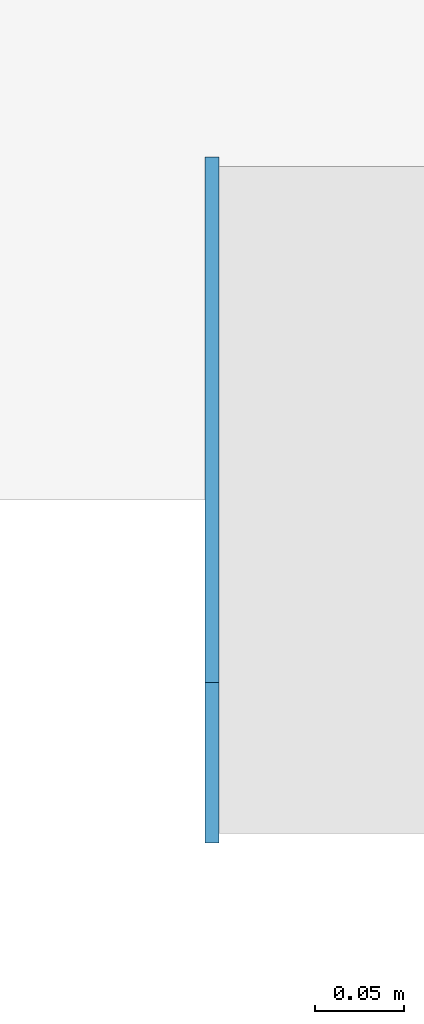
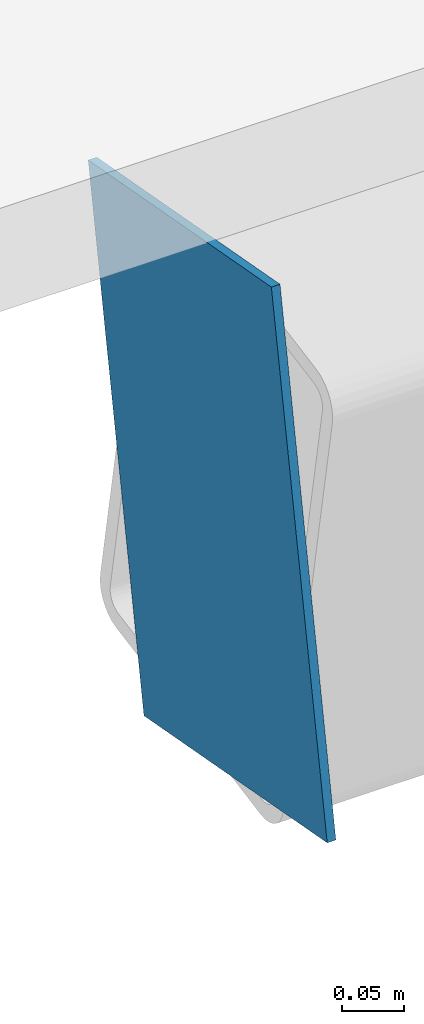
# One storey, part 15 of 32: 1 plate.
"""IFC4 building model written with IfcOpenShell, lengths in metres."""

from ifc_helpers import new_model, si_unit, direction, frame, origin, origin_2d, place, context, subcontext, project, spatial, rectangle, extrude, material, material_profile, profile_set, type_object, element, save


model = new_model("IFC4")

# Units and contexts
model_context = context("Model", 3, precision=1e-05, world=origin(), true_north=direction((0.0, 1.0)))
body_context = subcontext(model_context, "Body", "Model", "MODEL_VIEW")
ifc_project = project(units=[si_unit("LENGTHUNIT", "METRE"), si_unit("AREAUNIT", "SQUARE_METRE"), si_unit("VOLUMEUNIT", "CUBIC_METRE"), si_unit("PLANEANGLEUNIT", "RADIAN"), si_unit("MASSUNIT", "GRAM", prefix="KILO")], contexts=[model_context])

# Site, building, storey
site_placement = place(None, origin())
site = spatial("IfcSite", under=ifc_project, at=site_placement, CompositionType="ELEMENT")
building_placement = place(site_placement, origin())
building = spatial("IfcBuilding", under=site, at=building_placement, Name="Magnolia Steps Interchange", CompositionType="ELEMENT")
storey_placement = place(building_placement, frame((0.0, 0.0, 16.5)))
storey = spatial("IfcBuildingStorey", under=building, at=storey_placement, Name="L04", CompositionType="ELEMENT", Elevation=16.5)

# Plate
ifc_material = material(Name="Steel Q355B", Category="steel")
ifc_material_profile = material_profile(ifc_material, rectangle(XDim=0.300048828125, YDim=0.5, at=origin_2d()), Name="End plate RHS500x300x16")
ifc_profile_set = profile_set([ifc_material_profile], Name="Steel Q355B")
plate_type = type_object("IfcPlateType", Name="End plate RHS500x300x16", PredefinedType="SHEET", material=ifc_profile_set)
plate_placement = place(storey_placement, frame((50.4599609375, 74.800048828125, 0.119873046875), z_axis=(-1.0, 0.0, 0.0), x_axis=(0.0, -0.98367737698, 0.17994115154)))
element("IfcPlate", 1, at=plate_placement, inside=storey, type_object=plate_type, Name="End plate Roof beam", PredefinedType="SHEET", context=body_context, shape_type="SweptSolid", body=[
    extrude(rectangle(XDim=0.300048828125, YDim=0.5, at=origin_2d()), origin(), (0.0, 0.0, 1.0), 0.008056640625),
])

save(model, "model.ifc")
